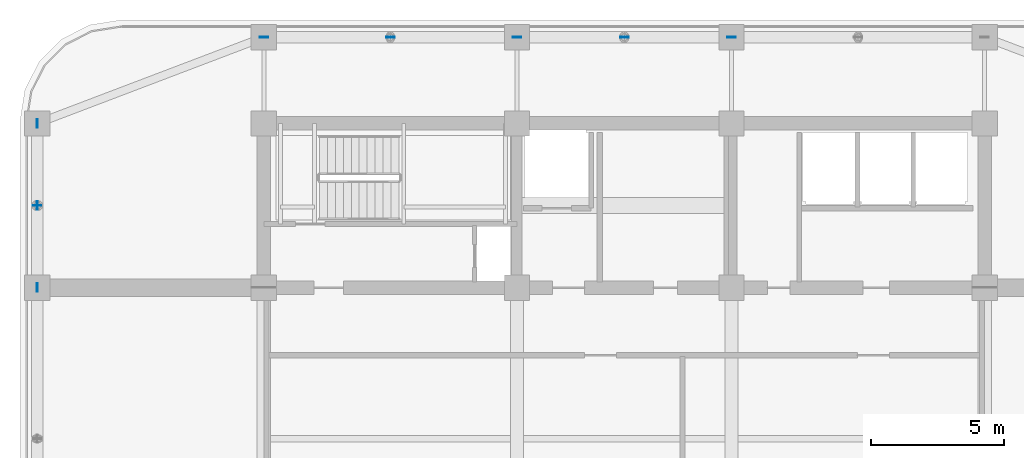
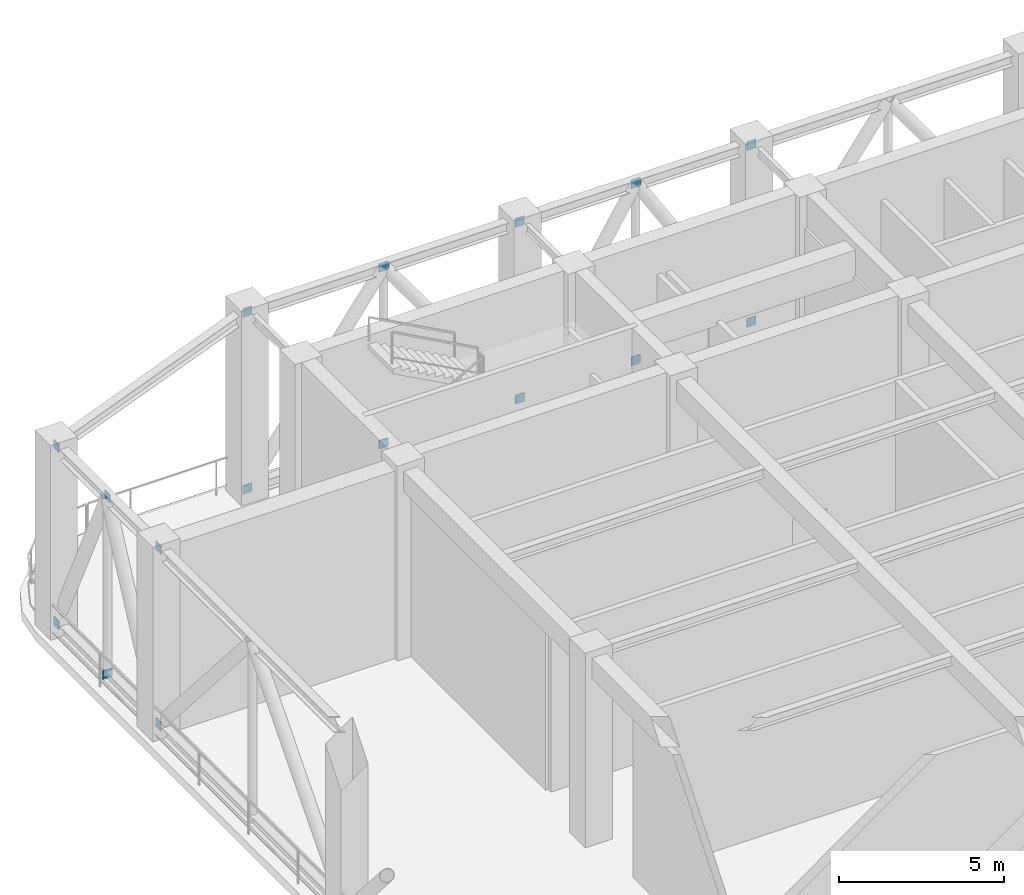
# One storey, part 16 of 20: 16 discrete accessories.
"""IFC4 building model written with IfcOpenShell, lengths in metres."""

from ifc_helpers import new_model, si_unit, direction, frame, origin, origin_2d, place, context, subcontext, project, spatial, rectangle, extrude, material, layer, layer_set, type_object, element, save


model = new_model("IFC4")

# Units and contexts
model_context = context("Model", 3, precision=1e-05, world=origin(), true_north=direction((0.0, 1.0)))
body_context = subcontext(model_context, "Body", "Model", "MODEL_VIEW")
ifc_project = project(units=[si_unit("LENGTHUNIT", "METRE"), si_unit("AREAUNIT", "SQUARE_METRE"), si_unit("VOLUMEUNIT", "CUBIC_METRE"), si_unit("PLANEANGLEUNIT", "RADIAN"), si_unit("MASSUNIT", "GRAM", prefix="KILO")], contexts=[model_context])

# Site, building, storey
site_placement = place(None, origin())
site = spatial("IfcSite", under=ifc_project, at=site_placement, CompositionType="ELEMENT")
building_placement = place(site_placement, origin())
building = spatial("IfcBuilding", under=site, at=building_placement, Name="Svetorya Sky Lyceum", CompositionType="ELEMENT")
storey_placement = place(building_placement, frame((0.0, 0.0, 195.89990234375)))
storey = spatial("IfcBuildingStorey", under=building, at=storey_placement, Name="L49", CompositionType="ELEMENT", Elevation=195.89990234375)

# Discrete accessories
ifc_material = material(Name="Steel S355", Category="steel")
ifc_layer = layer(ifc_material, 0.02392578125)
ifc_layer_set = layer_set([ifc_layer], Name="Steel S355")
discrete_accessory_type = type_object("IfcDiscreteAccessoryType", Name="ACC-GUSSET-24", PredefinedType="BRACKET", material=ifc_layer_set)
for number, where, z_axis, x_axis, name in (
    (1, (25.60009765625, 49.050048828125, 0.037109375), (0.0, 0.0, 1.0), (1.0, 0.0, 0.0), "L49 Brace Node Gusset Plate 143"),
    (2, (35.14990234375, 49.050048828125, 0.037109375), (0.0, 0.0, 1.0), (1.0, 0.0, 0.0), "L49 Brace Node Gusset Plate 144"),
    (3, (25.60009765625, 49.050048828125, 6.5830078125), (0.0, 0.0, 1.0), (1.0, 0.0, 0.0), "L49 Brace Node Gusset Plate 145"),
    (4, (35.14990234375, 49.050048828125, 6.5830078125), (0.0, 0.0, 1.0), (1.0, 0.0, 0.0), "L49 Brace Node Gusset Plate 146"),
    (5, (30.375, 49.050048828125, 6.5830078125), (0.0, 0.0, 1.0), (1.0, 0.0, 0.0), "L49 Brace Node Gusset Plate 147"),
    (6, (30.375, 49.050048828125, 0.037109375), (0.0, 0.0, 1.0), (1.0, 0.0, 0.0), "L49 Brace Node Gusset Plate 148"),
    (7, (43.25, 49.050048828125, 0.037109375), (0.0, 0.0, 1.0), (1.0, 0.0, 0.0), "L49 Brace Node Gusset Plate 149"),
    (8, (43.25, 49.050048828125, 6.5830078125), (0.0, 0.0, 1.0), (1.0, 0.0, 0.0), "L49 Brace Node Gusset Plate 150"),
    (9, (39.199951171875, 49.050048828125, 6.5830078125), (0.0, 0.0, 1.0), (1.0, 0.0, 0.0), "L49 Brace Node Gusset Plate 151"),
    (10, (39.199951171875, 49.050048828125, 0.037109375), (0.0, 0.0, 1.0), (1.0, 0.0, 0.0), "L49 Brace Node Gusset Plate 152"),
):
    element("IfcDiscreteAccessory", number, at=place(storey_placement, frame(where, z_axis=z_axis, x_axis=x_axis)), inside=storey, type_object=discrete_accessory_type, Name=name, PredefinedType="BRACKET", context=body_context, shape_type="SweptSolid", body=[
        extrude(rectangle(XDim=0.320068359375, YDim=0.02392578125, at=origin_2d()), origin(), (0.0, 0.0, 1.0), 0.320068359375),
    ])
for number, where, z_axis, x_axis, name in (
    (11, (17.050048828125, 39.60009765625, 0.037109375), (0.0, 0.0, 1.0), (1.0, 0.0, 0.0), "L49 Brace Node Gusset Plate 167"),
    (12, (17.050048828125, 39.60009765625, 6.5830078125), (0.0, 0.0, 1.0), (1.0, 0.0, 0.0), "L49 Brace Node Gusset Plate 168"),
    (13, (17.050048828125, 45.800048828125, 0.037109375), (0.0, 0.0, 1.0), (1.0, 0.0, 0.0), "L49 Brace Node Gusset Plate 171"),
    (14, (17.050048828125, 45.800048828125, 6.5830078125), (0.0, 0.0, 1.0), (1.0, 0.0, 0.0), "L49 Brace Node Gusset Plate 172"),
    (15, (17.050048828125, 42.699951171875, 6.5830078125), (0.0, 0.0, 1.0), (1.0, 0.0, 0.0), "L49 Brace Node Gusset Plate 173"),
):
    element("IfcDiscreteAccessory", number, at=place(storey_placement, frame(where, z_axis=z_axis, x_axis=x_axis)), inside=storey, type_object=discrete_accessory_type, Name=name, PredefinedType="BRACKET", context=body_context, shape_type="SweptSolid", body=[
        extrude(rectangle(XDim=0.02392578125, YDim=0.320068359375, at=origin_2d()), origin(), (0.0, 0.0, 1.0), 0.320068359375),
    ])
discrete_accessory_placement = place(storey_placement, frame((17.050048828125, 42.699951171875, 0.037109375), z_axis=(0.0, 0.0, 1.0), x_axis=(1.0, 0.0, 0.0)))
element("IfcDiscreteAccessory", 16, at=discrete_accessory_placement, inside=storey, type_object=discrete_accessory_type, Name="L49 Brace Node Gusset Plate 174", PredefinedType="BRACKET", context=body_context, shape_type="SweptSolid", body=[
    extrude(rectangle(XDim=0.320068359375, YDim=0.02392578125, at=origin_2d()), origin(), (0.0, 0.0, 1.0), 0.320068359375),
])

save(model, "model.ifc")
